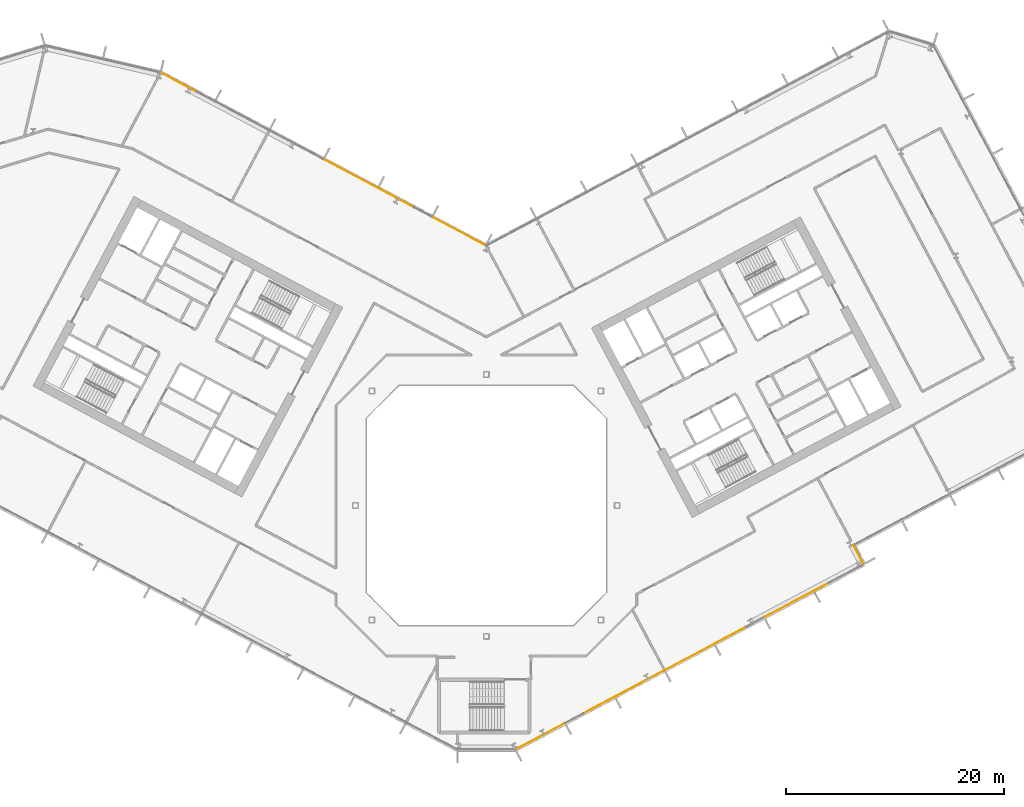
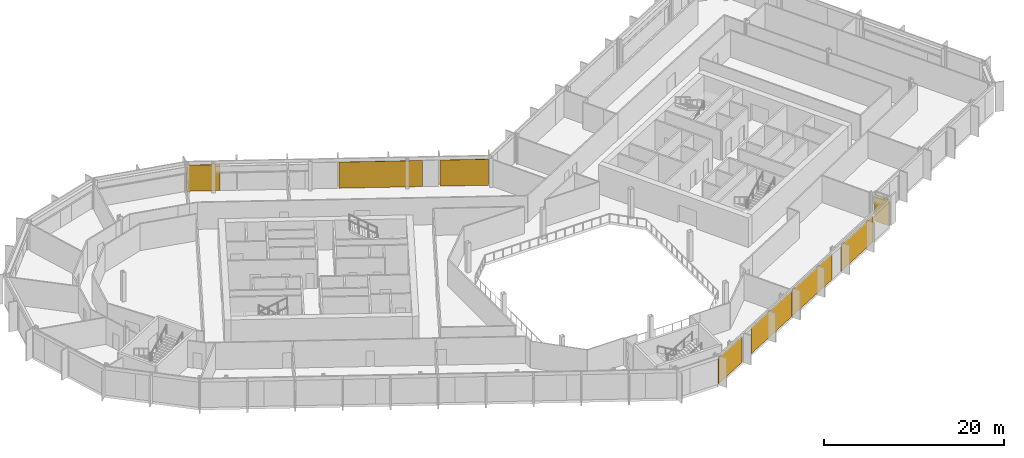
# One storey, part 24 of 28: 8 coverings, 3 elements without a shape of their own.
"""IFC4 building model written with IfcOpenShell, lengths in metres."""

from ifc_helpers import new_model, si_unit, direction, frame, origin, origin_2d, place, context, subcontext, project, spatial, rectangle, extrude, material, layer, layer_set, type_object, element, aggregate, save


model = new_model("IFC4")

# Units and contexts
model_context = context("Model", 3, precision=1e-05, world=origin(), true_north=direction((0.0, 1.0)))
body_context = subcontext(model_context, "Body", "Model", "MODEL_VIEW")
ifc_project = project(units=[si_unit("LENGTHUNIT", "METRE"), si_unit("AREAUNIT", "SQUARE_METRE"), si_unit("VOLUMEUNIT", "CUBIC_METRE"), si_unit("PLANEANGLEUNIT", "RADIAN"), si_unit("MASSUNIT", "GRAM", prefix="KILO")], contexts=[model_context])

# Site, building, storey
site_placement = place(None, origin())
site = spatial("IfcSite", under=ifc_project, at=site_placement, CompositionType="ELEMENT")
building_placement = place(site_placement, origin())
building = spatial("IfcBuilding", under=site, at=building_placement, Name="Cormorant Relay Tower", CompositionType="ELEMENT")
storey_placement = place(building_placement, frame((0.0, 0.0, 122.199951171875)))
storey = spatial("IfcBuildingStorey", under=building, at=storey_placement, Name="L24", CompositionType="ELEMENT", Elevation=122.199951171875)

# Curtain wall, coverings
ifc_material_1 = material(Name="Aluminium 6063-T6 anodised bronze", Category="aluminium")
ifc_layer_1 = layer(ifc_material_1, 0.199951171875)
ifc_layer_set_1 = layer_set([ifc_layer_1], Name="CW1 unitised bronze curtain wall with vertical fins")
curtain_wall_type = type_object("IfcCurtainWallType", Name="CW1 unitised bronze curtain wall with vertical fins", PredefinedType="NOTDEFINED", material=ifc_layer_set_1)
curtain_wall_1_placement = place(storey_placement, origin())
curtain_wall_1 = element("IfcCurtainWall", 1, at=curtain_wall_1_placement, inside=storey, type_object=curtain_wall_type, Name="CW1 curtain wall 2", PredefinedType="NOTDEFINED")
ifc_material_2 = material(Name="Pale bronze anodised aluminium insulated panel", Category="aluminium")
ifc_layer_2 = layer(ifc_material_2, 0.0400390625)
ifc_layer_set_2 = layer_set([ifc_layer_2], Name="CW1 pale bronze insulated panel 40")
covering_type = type_object("IfcCoveringType", Name="CW1 pale bronze insulated panel 40", PredefinedType="CLADDING", material=ifc_layer_set_2)
covering_1_placement = place(storey_placement, frame((4.939208984375, -21.180419921875, 0.0), z_axis=(0.0, 0.0, 1.0), x_axis=(0.882947592859, 0.469471562786, 0.0)))
covering_1 = element("IfcCovering", 2, at=covering_1_placement, type_object=covering_type, Name="CW1 panel S00", PredefinedType="CLADDING", context=body_context, shape_type="SweptSolid", body=[
    extrude(rectangle(XDim=5.0166015625, YDim=0.0400390625, at=origin_2d()), origin(), (0.0, 0.0, 1.0), 3.550048828125),
])
covering_2_placement = place(storey_placement, frame((12.576416015625, -17.11962890625, 0.0), z_axis=(0.0, 0.0, 1.0), x_axis=(0.882947592859, 0.469471562786, 0.0)))
covering_2 = element("IfcCovering", 3, at=covering_2_placement, type_object=covering_type, Name="CW1 panel S02", PredefinedType="CLADDING", context=body_context, shape_type="SweptSolid", body=[
    extrude(rectangle(XDim=8.383056640625, YDim=0.0400390625, at=origin_2d()), origin(), (0.0, 0.0, 1.0), 3.550048828125),
])
covering_3_placement = place(storey_placement, frame((20.11083984375, -13.113525390625, 0.0), z_axis=(0.0, 0.0, 1.0), x_axis=(0.882947592859, 0.469471562786, 0.0)))
covering_3 = element("IfcCovering", 4, at=covering_3_placement, type_object=covering_type, Name="CW1 panel S03", PredefinedType="CLADDING", context=body_context, shape_type="SweptSolid", body=[
    extrude(rectangle(XDim=8.383056640625, YDim=0.0400390625, at=origin_2d()), origin(), (0.0, 0.0, 1.0), 3.550048828125),
])
covering_4_placement = place(storey_placement, frame((28.472900390625, -8.667236328125, 0.0), z_axis=(0.0, 0.0, 1.0), x_axis=(0.882947592859, 0.469471562786, 0.0)))
covering_4 = element("IfcCovering", 5, at=covering_4_placement, type_object=covering_type, Name="CW1 panel S05", PredefinedType="CLADDING", context=body_context, shape_type="SweptSolid", body=[
    extrude(rectangle(XDim=6.658203125, YDim=0.0400390625, at=origin_2d()), origin(), (0.0, 0.0, 1.0), 3.550048828125),
])
aggregate(curtain_wall_1, [covering_1, covering_2, covering_3, covering_4])

# Curtain wall, covering
curtain_wall_2_placement = place(storey_placement, origin())
curtain_wall_2 = element("IfcCurtainWall", 6, at=curtain_wall_2_placement, inside=storey, type_object=curtain_wall_type, Name="CW1 curtain wall 3", PredefinedType="NOTDEFINED")
covering_5_placement = place(storey_placement, frame((34.112060546875, -4.47119140625, 0.0), z_axis=(0.0, 0.0, 1.0), x_axis=(-0.469471562786, 0.882947592859, 0.0)))
covering_5 = element("IfcCovering", 7, at=covering_5_placement, type_object=covering_type, Name="CW1 panel S00", PredefinedType="CLADDING", context=body_context, shape_type="SweptSolid", body=[
    extrude(rectangle(XDim=1.925048828125, YDim=0.0400390625, at=origin_2d()), origin(), (0.0, 0.0, 1.0), 3.550048828125),
])
aggregate(curtain_wall_2, [covering_5])

# Curtain wall, coverings
curtain_wall_3_placement = place(storey_placement, origin())
curtain_wall_3 = element("IfcCurtainWall", 8, at=curtain_wall_3_placement, inside=storey, type_object=curtain_wall_type, Name="CW1 curtain wall 9", PredefinedType="NOTDEFINED")
covering_6_placement = place(storey_placement, frame((-2.51318359375, 25.142822265625, 0.0), z_axis=(0.0, 0.0, 1.0), x_axis=(-0.882947592859, 0.469471562786, 0.0)))
covering_6 = element("IfcCovering", 9, at=covering_6_placement, type_object=covering_type, Name="CW1 panel S00", PredefinedType="CLADDING", context=body_context, shape_type="SweptSolid", body=[
    extrude(rectangle(XDim=5.4140625, YDim=0.0400390625, at=origin_2d()), origin(), (0.0, 0.0, 1.0), 3.550048828125),
])
covering_7_placement = place(storey_placement, frame((-10.7431640625, 29.518798828125, 0.0), z_axis=(0.0, 0.0, 1.0), x_axis=(-0.882947592859, 0.469471562786, 0.0)))
covering_7 = element("IfcCovering", 10, at=covering_7_placement, type_object=covering_type, Name="CW1 panel S02", PredefinedType="CLADDING", context=body_context, shape_type="SweptSolid", body=[
    extrude(rectangle(XDim=9.327880859375, YDim=0.0400390625, at=origin_2d()), origin(), (0.0, 0.0, 1.0), 3.550048828125),
])
covering_8_placement = place(storey_placement, frame((-28.20263671875, 38.80224609375, 0.0), z_axis=(0.0, 0.0, 1.0), x_axis=(-0.882947592859, 0.469471562786, 0.0)))
covering_8 = element("IfcCovering", 11, at=covering_8_placement, type_object=covering_type, Name="CW1 panel S06", PredefinedType="CLADDING", context=body_context, shape_type="SweptSolid", body=[
    extrude(rectangle(XDim=3.763916015625, YDim=0.0400390625, at=origin_2d()), origin(), (0.0, 0.0, 1.0), 3.550048828125),
])
aggregate(curtain_wall_3, [covering_6, covering_7, covering_8])

save(model, "model.ifc")
